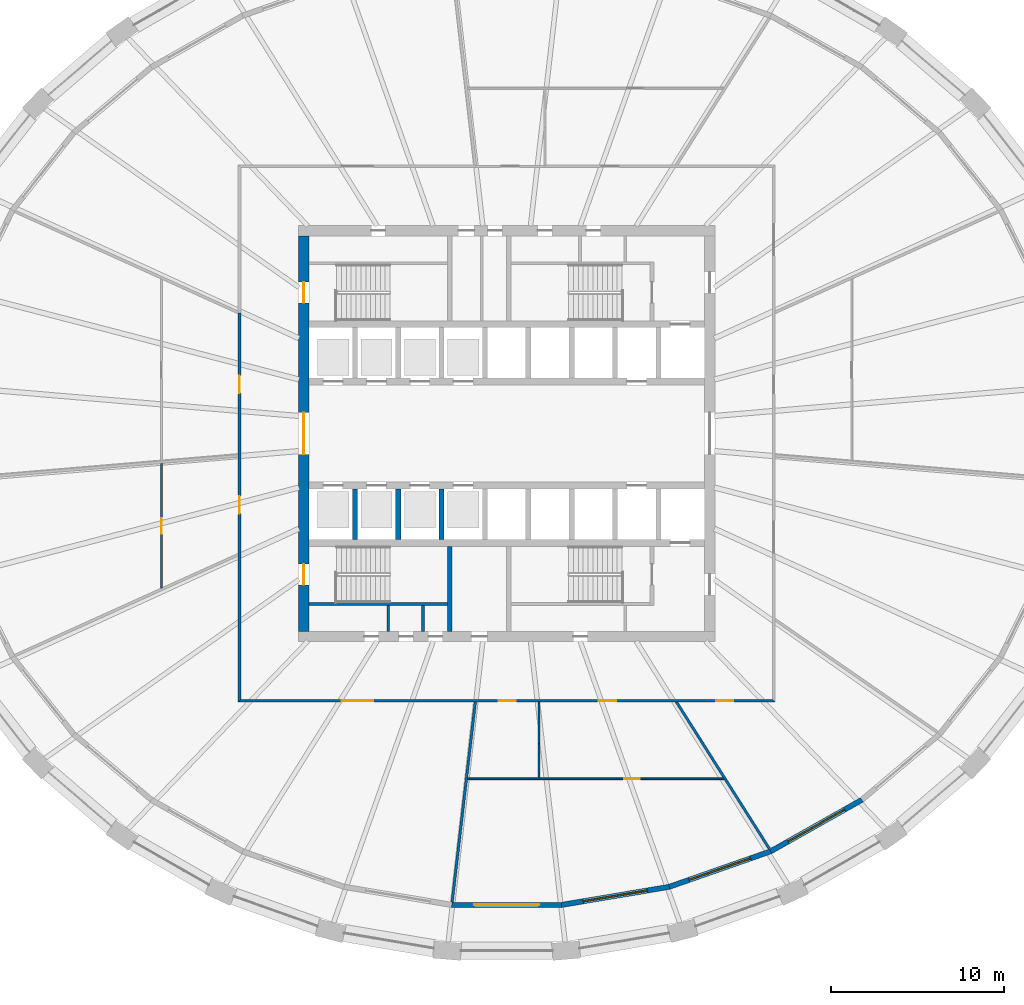
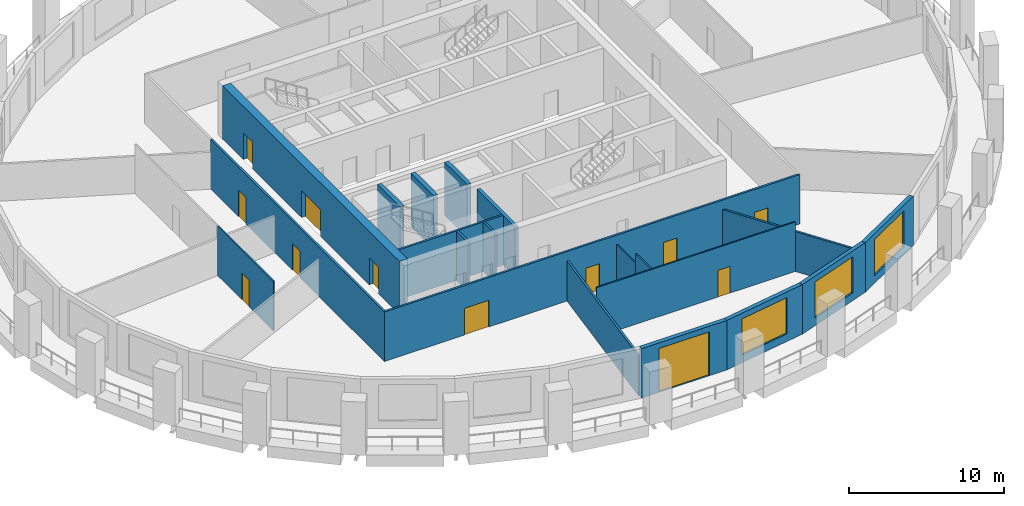
# One storey, part 3 of 10: 20 walls, 12 doors, 3 windows, 15 openings.
"""IFC4 building model written with IfcOpenShell, lengths in metres."""

from ifc_helpers import new_model, si_unit, direction, frame, frame_2d, origin, place, context, subcontext, project, spatial, polyline, rectangle, outline, extrude, material, layer, layer_set, type_object, element, fill, save


model = new_model("IFC4")

# Units and contexts
model_context = context("Model", 3, precision=1e-05, world=origin(), true_north=direction((0.0, 1.0)))
body_context = subcontext(model_context, "Body", "Model", "MODEL_VIEW")
ifc_project = project(units=[si_unit("LENGTHUNIT", "METRE"), si_unit("AREAUNIT", "SQUARE_METRE"), si_unit("VOLUMEUNIT", "CUBIC_METRE"), si_unit("PLANEANGLEUNIT", "RADIAN"), si_unit("MASSUNIT", "GRAM", prefix="KILO")], contexts=[model_context])

# Site, building, storey
site_placement = place(None, origin())
site = spatial("IfcSite", under=ifc_project, at=site_placement, CompositionType="ELEMENT")
building_placement = place(site_placement, origin())
building = spatial("IfcBuilding", under=site, at=building_placement, Name="Halqa Exchange Tower", CompositionType="ELEMENT")
storey_placement = place(building_placement, frame((0.0, 0.0, 121.300048828125)))
storey = spatial("IfcBuildingStorey", under=building, at=storey_placement, Name="L27", CompositionType="ELEMENT", Elevation=121.300048828125)

# Wall, openings, doors
ifc_material_1 = material(Name="Fire-rated gypsum board")
ifc_layer_1 = layer(ifc_material_1, 0.14990234375)
ifc_layer_set_1 = layer_set([ifc_layer_1], Name="Fire-rated gypsum board")
wall_type_1 = type_object("IfcWallType", Name="Fire partition EI 60 150", PredefinedType="PARTITIONING", material=ifc_layer_set_1)
wall_1_placement = place(storey_placement, frame((-15.39990234375, -15.47509765625, 0.0), z_axis=(0.0, 0.0, 1.0), x_axis=(0.0, 1.0, 0.0)))
wall_1 = element("IfcWall", 1, at=wall_1_placement, inside=storey, type_object=wall_type_1, Name="L27-PWL-006", PredefinedType="PARTITIONING", context=body_context, shape_type="SweptSolid", body=[
    extrude(outline(polyline([(22.425048828125, 0.074951171875), (20.556396484375, 0.074951171875), (18.6875, 0.074951171875), (16.81884765625, 0.074951171875), (14.9501953125, 0.074951171875), (13.081298828125, 0.074951171875), (11.212646484375, 0.074951171875), (9.343994140625, 0.074951171875), (7.47509765625, 0.074951171875), (5.6064453125, 0.074951171875), (3.73779296875, 0.074951171875), (1.868896484375, 0.074951171875), (0.000244140625, 0.074951171875), (0.150146484375, -0.074951171875), (2.00634765625, -0.074951171875), (3.862548828125, -0.074951171875), (5.71875, -0.074951171875), (7.5751953125, -0.074951171875), (9.431396484375, -0.074951171875), (11.28759765625, -0.074951171875), (13.143798828125, -0.074951171875), (15.0, -0.074951171875), (16.8564453125, -0.074951171875), (18.712646484375, -0.074951171875), (20.56884765625, -0.074951171875), (22.425048828125, -0.074951171875), (22.425048828125, 0.074951171875)])), origin(), (0.0, 0.0, 1.0), 3.89990234375),
])
opening_1_placement = place(wall_1_placement, frame((17.81005859375, 0.0, 0.0)))
opening_1 = element("IfcOpeningElement", 2, at=opening_1_placement, cuts=wall_1, Name="Opening 08-08", PredefinedType="OPENING", context=body_context, shape_type="SweptSolid", body=[
    extrude(rectangle(XDim=1.0, YDim=2.10009765625, at=frame_2d((0.5, 1.050048828125))), frame((0.0, 0.0869140625, 0.0), z_axis=(0.0, -1.0, 0.0), x_axis=(1.0, 0.0, 0.0)), (0.0, 0.0, 1.0), 0.173828125),
])
opening_2_placement = place(wall_1_placement, frame((10.860107421875, 0.0, 0.0)))
opening_2 = element("IfcOpeningElement", 3, at=opening_2_placement, cuts=wall_1, Name="Opening 08-09", PredefinedType="OPENING", context=body_context, shape_type="SweptSolid", body=[
    extrude(rectangle(XDim=1.0, YDim=2.10009765625, at=frame_2d((0.5, 1.050048828125))), frame((0.0, 0.0869140625, 0.0), z_axis=(0.0, -1.0, 0.0), x_axis=(1.0, 0.0, 0.0)), (0.0, 0.0, 1.0), 0.173828125),
])
ifc_material_2 = material(Name="Steel fire door leaf", Category="steel")
door_type_1 = type_object("IfcDoorType", Name="Fire door FD30S 1000 x 2100", OperationType="SINGLE_SWING_LEFT", PredefinedType="DOOR", material=ifc_material_2)
door_1_placement = place(opening_1_placement, origin())
door_1 = element("IfcDoor", 4, at=door_1_placement, inside=storey, type_object=door_type_1, Name="L27-IDR-008", OperationType="SINGLE_SWING_LEFT", OverallHeight=2.10009765625, OverallWidth=1.0, PredefinedType="DOOR", context=body_context, shape_type="SweptSolid", body=[
    extrude(rectangle(XDim=1.0, YDim=2.10009765625, at=frame_2d((0.5, 1.050048828125))), frame((0.0, 0.02490234375, 0.0), z_axis=(0.0, -1.0, 0.0), x_axis=(1.0, 0.0, 0.0)), (0.0, 0.0, 1.0), 0.050048828125),
])
fill(opening_1, door_1)
door_2_placement = place(opening_2_placement, origin())
door_2 = element("IfcDoor", 5, at=door_2_placement, inside=storey, type_object=door_type_1, Name="L27-IDR-009", OperationType="SINGLE_SWING_LEFT", OverallHeight=2.10009765625, OverallWidth=1.0, PredefinedType="DOOR", context=body_context, shape_type="SweptSolid", body=[
    extrude(rectangle(XDim=1.0, YDim=2.10009765625, at=frame_2d((0.5, 1.050048828125))), frame((0.0, 0.02490234375, 0.0), z_axis=(0.0, -1.0, 0.0), x_axis=(1.0, 0.0, 0.0)), (0.0, 0.0, 1.0), 0.050048828125),
])
fill(opening_2, door_2)

wall_2_placement = place(storey_placement, frame((-15.47509765625, -15.39990234375, 0.0), z_axis=(0.0, 0.0, 1.0), x_axis=(1.0, 0.0, 0.0)))
wall_2 = element("IfcWall", 6, at=wall_2_placement, inside=storey, type_object=wall_type_1, Name="L27-PWL-007", PredefinedType="PARTITIONING", context=body_context, shape_type="SweptSolid", body=[
    extrude(outline(polyline([(0.000244140625, -0.074951171875), (1.9345703125, -0.074951171875), (3.868896484375, -0.074951171875), (5.80322265625, -0.074951171875), (7.73779296875, -0.074951171875), (9.672119140625, -0.074951171875), (11.6064453125, -0.074951171875), (13.540771484375, -0.074951171875), (15.47509765625, -0.074951171875), (17.409423828125, -0.074951171875), (19.34375, -0.074951171875), (21.278076171875, -0.074951171875), (23.21240234375, -0.074951171875), (25.14697265625, -0.074951171875), (27.081298828125, -0.074951171875), (29.015625, -0.074951171875), (30.949951171875, -0.074951171875), (30.800048828125, 0.074951171875), (28.884521484375, 0.074951171875), (26.96875, 0.074951171875), (25.05322265625, 0.074951171875), (23.1376953125, 0.074951171875), (21.221923828125, 0.074951171875), (19.306396484375, 0.074951171875), (17.390625, 0.074951171875), (15.47509765625, 0.074951171875), (13.5595703125, 0.074951171875), (11.643798828125, 0.074951171875), (9.728271484375, 0.074951171875), (7.8125, 0.074951171875), (5.89697265625, 0.074951171875), (3.9814453125, 0.074951171875), (2.065673828125, 0.074951171875), (0.150146484375, 0.074951171875), (0.000244140625, -0.074951171875)])), origin(), (0.0, 0.0, 1.0), 3.89990234375),
])
opening_3_placement = place(wall_2_placement, frame((27.544921875, 0.0, 0.0)))
opening_3 = element("IfcOpeningElement", 7, at=opening_3_placement, cuts=wall_2, Name="Opening 08-01", PredefinedType="OPENING", context=body_context, shape_type="SweptSolid", body=[
    extrude(rectangle(XDim=1.0, YDim=2.10009765625, at=frame_2d((0.5, 1.050048828125))), frame((0.0, 0.0869140625, 0.0), z_axis=(0.0, -1.0, 0.0), x_axis=(1.0, 0.0, 0.0)), (0.0, 0.0, 1.0), 0.173828125),
])
opening_4_placement = place(wall_2_placement, frame((5.97509765625, 0.0, 0.0)))
opening_4 = element("IfcOpeningElement", 8, at=opening_4_placement, cuts=wall_2, Name="Opening 08-10", PredefinedType="OPENING", context=body_context, shape_type="SweptSolid", body=[
    extrude(rectangle(XDim=1.800048828125, YDim=2.10009765625, at=frame_2d((0.89990234375, 1.050048828125))), frame((0.0, 0.0869140625, 0.0), z_axis=(0.0, -1.0, 0.0), x_axis=(1.0, 0.0, 0.0)), (0.0, 0.0, 1.0), 0.173828125),
])
opening_5_placement = place(wall_2_placement, frame((20.780029296875, 0.0, 0.0)))
opening_5 = element("IfcOpeningElement", 9, at=opening_5_placement, cuts=wall_2, Name="Opening 08-11", PredefinedType="OPENING", context=body_context, shape_type="SweptSolid", body=[
    extrude(rectangle(XDim=1.0, YDim=2.10009765625, at=frame_2d((0.5, 1.050048828125))), frame((0.0, 0.0869140625, 0.0), z_axis=(0.0, -1.0, 0.0), x_axis=(1.0, 0.0, 0.0)), (0.0, 0.0, 1.0), 0.173828125),
])
opening_6_placement = place(wall_2_placement, frame((15.010009765625, 0.0, 0.0)))
opening_6 = element("IfcOpeningElement", 10, at=opening_6_placement, cuts=wall_2, Name="Opening 08-12", PredefinedType="OPENING", context=body_context, shape_type="SweptSolid", body=[
    extrude(rectangle(XDim=1.0, YDim=2.10009765625, at=frame_2d((0.5, 1.050048828125))), frame((0.0, 0.0869140625, 0.0), z_axis=(0.0, -1.0, 0.0), x_axis=(1.0, 0.0, 0.0)), (0.0, 0.0, 1.0), 0.173828125),
])
door_3_placement = place(opening_3_placement, frame((1.0, 0.0, 0.0), z_axis=(0.0, 0.0, 1.0), x_axis=(-1.0, 0.0, 0.0)))
door_3 = element("IfcDoor", 11, at=door_3_placement, inside=storey, type_object=door_type_1, Name="L27-IDR-001", OperationType="SINGLE_SWING_LEFT", OverallHeight=2.10009765625, OverallWidth=1.0, PredefinedType="DOOR", context=body_context, shape_type="SweptSolid", body=[
    extrude(rectangle(XDim=1.0, YDim=2.10009765625, at=frame_2d((0.5, 1.050048828125))), frame((0.0, 0.02490234375, 0.0), z_axis=(0.0, -1.0, 0.0), x_axis=(1.0, 0.0, 0.0)), (0.0, 0.0, 1.0), 0.050048828125),
])
fill(opening_3, door_3)
door_4_placement = place(opening_5_placement, frame((1.0, 0.0, 0.0), z_axis=(0.0, 0.0, 1.0), x_axis=(-1.0, 0.0, 0.0)))
door_4 = element("IfcDoor", 12, at=door_4_placement, inside=storey, type_object=door_type_1, Name="L27-IDR-011", OperationType="SINGLE_SWING_LEFT", OverallHeight=2.10009765625, OverallWidth=1.0, PredefinedType="DOOR", context=body_context, shape_type="SweptSolid", body=[
    extrude(rectangle(XDim=1.0, YDim=2.10009765625, at=frame_2d((0.5, 1.050048828125))), frame((0.0, 0.02490234375, 0.0), z_axis=(0.0, -1.0, 0.0), x_axis=(1.0, 0.0, 0.0)), (0.0, 0.0, 1.0), 0.050048828125),
])
fill(opening_5, door_4)
door_5_placement = place(opening_6_placement, frame((1.0, 0.0, 0.0), z_axis=(0.0, 0.0, 1.0), x_axis=(-1.0, 0.0, 0.0)))
door_5 = element("IfcDoor", 13, at=door_5_placement, inside=storey, type_object=door_type_1, Name="L27-IDR-012", OperationType="SINGLE_SWING_LEFT", OverallHeight=2.10009765625, OverallWidth=1.0, PredefinedType="DOOR", context=body_context, shape_type="SweptSolid", body=[
    extrude(rectangle(XDim=1.0, YDim=2.10009765625, at=frame_2d((0.5, 1.050048828125))), frame((0.0, 0.02490234375, 0.0), z_axis=(0.0, -1.0, 0.0), x_axis=(1.0, 0.0, 0.0)), (0.0, 0.0, 1.0), 0.050048828125),
])
fill(opening_6, door_5)
door_type_2 = type_object("IfcDoorType", Name="Fire door FD30S double 1800 x 2100", OperationType="DOUBLE_DOOR_SINGLE_SWING", PredefinedType="DOOR", material=ifc_material_2)
door_6_placement = place(opening_4_placement, frame((1.800048828125, 0.0, 0.0), z_axis=(0.0, 0.0, 1.0), x_axis=(-1.0, 0.0, 0.0)))
door_6 = element("IfcDoor", 14, at=door_6_placement, inside=storey, type_object=door_type_2, Name="L27-IDR-010", OperationType="DOUBLE_DOOR_SINGLE_SWING", OverallHeight=2.10009765625, OverallWidth=1.800048828125, PredefinedType="DOOR", context=body_context, shape_type="SweptSolid", body=[
    extrude(rectangle(XDim=1.800048828125, YDim=2.10009765625, at=frame_2d((0.89990234375, 1.050048828125))), frame((0.0, 0.02490234375, 0.0), z_axis=(0.0, -1.0, 0.0), x_axis=(1.0, 0.0, 0.0)), (0.0, 0.0, 1.0), 0.050048828125),
])
fill(opening_4, door_6)

# Walls
wall_3_placement = place(storey_placement, frame((-3.145263671875, -27.02099609375, 0.0), z_axis=(0.0, 0.0, 1.0), x_axis=(0.115127596958, 0.993350711692, 0.0)))
element("IfcWall", 15, at=wall_3_placement, inside=storey, type_object=wall_type_1, Name="L27-PWL-011", PredefinedType="PARTITIONING", context=body_context, shape_type="SweptSolid", body=[
    extrude(outline(polyline([(0.005615234375, -0.074951171875), (1.808349609375, -0.074951171875), (3.611083984375, -0.074951171875), (5.413818359375, -0.074951171875), (7.216552734375, -0.074951171875), (7.2275390625, -0.07373046875), (7.227783203125, -0.074951171875), (8.695556640625, -0.074951171875), (10.16357421875, -0.074951171875), (11.631591796875, -0.074951171875), (11.631591796875, -0.07177734375), (11.614501953125, 0.074951171875), (9.6787109375, 0.074951171875), (7.7431640625, 0.074951171875), (5.807373046875, 0.074951171875), (3.87158203125, 0.074951171875), (1.935791015625, 0.074951171875), (0.0, 0.074951171875), (0.0, -0.02685546875), (0.005615234375, -0.074951171875)])), origin(), (0.0, 0.0, 1.0), 3.14697265625),
])
wall_4_placement = place(storey_placement, frame((9.76220703125, -15.43505859375, 0.0), z_axis=(0.0, 0.0, 1.0), x_axis=(0.534830284385, -0.844959506074, 0.0)))
element("IfcWall", 16, at=wall_4_placement, inside=storey, type_object=wall_type_1, Name="L27-PWL-018", PredefinedType="PARTITIONING", context=body_context, shape_type="SweptSolid", body=[
    extrude(outline(polyline([(0.0, -0.074951171875), (1.725830078125, -0.074951171875), (3.45166015625, -0.074951171875), (5.177490234375, -0.074951171875), (5.211181640625, -0.021728515625), (5.29541015625, -0.074951171875), (6.882568359375, -0.074951171875), (8.4697265625, -0.074951171875), (10.056884765625, -0.074951171875), (10.056884765625, 0.074951171875), (8.064453125, 0.074951171875), (6.072021484375, 0.074951171875), (4.07958984375, 0.074951171875), (2.087158203125, 0.074951171875), (0.0947265625, 0.074951171875), (0.0, -0.07470703125), (0.0, -0.074951171875)])), origin(), (0.0, 0.0, 1.0), 3.14697265625),
])

# Wall, opening, door
ifc_material_3 = material(Name="Gypsum board")
ifc_layer_2 = layer(ifc_material_3, 0.10009765625)
ifc_layer_set_2 = layer_set([ifc_layer_2], Name="Gypsum board")
wall_type_2 = type_object("IfcWallType", Name="Partition 100 gypsum", PredefinedType="PARTITIONING", material=ifc_layer_set_2)
wall_5_placement = place(storey_placement, frame((-19.89990234375, -8.924072265625, 0.0), z_axis=(0.0, 0.0, 1.0), x_axis=(0.0, 1.0, 0.0)))
wall_5 = element("IfcWall", 17, at=wall_5_placement, inside=storey, type_object=wall_type_2, Name="L27-PWL-004", PredefinedType="PARTITIONING", context=body_context, shape_type="SweptSolid", body=[
    extrude(outline(polyline([(7.197021484375, -0.050048828125), (7.197021484375, -0.04638671875), (7.18896484375, 0.050048828125), (5.3916015625, 0.050048828125), (3.594482421875, 0.050048828125), (1.797119140625, 0.050048828125), (0.0, 0.050048828125), (0.0, 0.049560546875), (0.044921875, -0.050048828125), (1.8330078125, -0.050048828125), (3.62109375, -0.050048828125), (5.408935546875, -0.050048828125), (7.197021484375, -0.050048828125)])), origin(), (0.0, 0.0, 1.0), 3.89990234375),
])
opening_7_placement = place(wall_5_placement, frame((3.154052734375, 0.0, 0.0)))
opening_7 = element("IfcOpeningElement", 18, at=opening_7_placement, cuts=wall_5, Name="Opening 08-16", PredefinedType="OPENING", context=body_context, shape_type="SweptSolid", body=[
    extrude(rectangle(XDim=0.89990234375, YDim=2.10009765625, at=frame_2d((0.449951171875, 1.050048828125))), frame((0.0, 0.06201171875, 0.0), z_axis=(0.0, -1.0, 0.0), x_axis=(1.0, 0.0, 0.0)), (0.0, 0.0, 1.0), 0.1240234375),
])
ifc_material_4 = material(Name="Timber door leaf", Category="wood")
door_type_3 = type_object("IfcDoorType", Name="Door 900 x 2100", OperationType="SINGLE_SWING_LEFT", PredefinedType="DOOR", material=ifc_material_4)
door_7_placement = place(opening_7_placement, frame((0.89990234375, 0.0, 0.0), z_axis=(0.0, 0.0, 1.0), x_axis=(-1.0, 0.0, 0.0)))
door_7 = element("IfcDoor", 19, at=door_7_placement, inside=storey, type_object=door_type_3, Name="L27-IDR-016", OperationType="SINGLE_SWING_RIGHT", OverallHeight=2.10009765625, OverallWidth=0.89990234375, PredefinedType="DOOR", context=body_context, shape_type="SweptSolid", body=[
    extrude(rectangle(XDim=0.89990234375, YDim=2.10009765625, at=frame_2d((0.449951171875, 1.050048828125))), frame((0.0, 0.02490234375, 0.0), z_axis=(0.0, -1.0, 0.0), x_axis=(1.0, 0.0, 0.0)), (0.0, 0.0, 1.0), 0.050048828125),
])
fill(opening_7, door_7)

wall_6_placement = place(storey_placement, frame((-2.25, -19.89990234375, 0.0), z_axis=(0.0, 0.0, 1.0), x_axis=(1.0, 0.0, 0.0)))
wall_6 = element("IfcWall", 20, at=wall_6_placement, inside=storey, type_object=wall_type_2, Name="L27-PWL-012", PredefinedType="PARTITIONING", context=body_context, shape_type="SweptSolid", body=[
    extrude(outline(polyline([(14.781005859375, -0.050048828125), (14.781005859375, -0.0498046875), (14.77001953125, -0.0322265625), (14.77001953125, -0.032470703125), (14.7177734375, 0.050048828125), (12.9599609375, 0.050048828125), (11.201904296875, 0.050048828125), (9.44384765625, 0.050048828125), (7.68603515625, 0.050048828125), (5.927978515625, 0.050048828125), (4.169921875, 0.050048828125), (4.169921875, 0.0498046875), (4.070068359375, 0.0498046875), (4.070068359375, 0.050048828125), (2.717041015625, 0.050048828125), (1.3642578125, 0.050048828125), (0.01123046875, 0.050048828125), (0.0, -0.0478515625), (0.0, -0.050048828125), (1.84765625, -0.050048828125), (3.6953125, -0.050048828125), (5.54296875, -0.050048828125), (7.390625, -0.050048828125), (9.238037109375, -0.050048828125), (11.085693359375, -0.050048828125), (12.933349609375, -0.050048828125), (14.781005859375, -0.050048828125)])), origin(), (0.0, 0.0, 1.0), 3.89990234375),
])
opening_8_placement = place(wall_6_placement, frame((9.030029296875, 0.0, 0.0)))
opening_8 = element("IfcOpeningElement", 21, at=opening_8_placement, cuts=wall_6, Name="Opening 08-17", PredefinedType="OPENING", context=body_context, shape_type="SweptSolid", body=[
    extrude(rectangle(XDim=0.89990234375, YDim=2.10009765625, at=frame_2d((0.449951171875, 1.050048828125))), frame((0.0, 0.06201171875, 0.0), z_axis=(0.0, -1.0, 0.0), x_axis=(1.0, 0.0, 0.0)), (0.0, 0.0, 1.0), 0.1240234375),
])
door_8_placement = place(opening_8_placement, origin())
door_8 = element("IfcDoor", 22, at=door_8_placement, inside=storey, type_object=door_type_3, Name="L27-IDR-017", OperationType="SINGLE_SWING_LEFT", OverallHeight=2.10009765625, OverallWidth=0.89990234375, PredefinedType="DOOR", context=body_context, shape_type="SweptSolid", body=[
    extrude(rectangle(XDim=0.89990234375, YDim=2.10009765625, at=frame_2d((0.449951171875, 1.050048828125))), frame((0.0, 0.02490234375, 0.0), z_axis=(0.0, -1.0, 0.0), x_axis=(1.0, 0.0, 0.0)), (0.0, 0.0, 1.0), 0.050048828125),
])
fill(opening_8, door_8)

# Walls
wall_7_placement = place(storey_placement, frame((1.8701171875, -19.85009765625, 0.0), z_axis=(0.0, 0.0, 1.0), x_axis=(0.0, 1.0, 0.0)))
element("IfcWall", 23, at=wall_7_placement, inside=storey, type_object=wall_type_2, Name="L27-PWL-015", PredefinedType="PARTITIONING", context=body_context, shape_type="SweptSolid", body=[
    extrude(rectangle(XDim=1.959716796875, YDim=0.10009765625, at=frame_2d((0.97998046875, 0.0))), origin(), (0.0, 0.0, 1.0), 3.89990234375),
])
wall_8_placement = place(storey_placement, frame((1.8701171875, -17.890380859375, 0.0), z_axis=(0.0, 0.0, 1.0), x_axis=(0.0, 1.0, 0.0)))
element("IfcWall", 24, at=wall_8_placement, inside=storey, type_object=wall_type_2, Name="L27-PWL-025", PredefinedType="PARTITIONING", context=body_context, shape_type="SweptSolid", body=[
    extrude(rectangle(XDim=2.415283203125, YDim=0.10009765625, at=frame_2d((1.20751953125, 0.0))), origin(), (0.0, 0.0, 1.0), 3.14697265625),
])
ifc_layer_3 = layer(ifc_material_3, 0.14990234375)
ifc_layer_set_3 = layer_set([ifc_layer_3], Name="Gypsum board")
wall_type_3 = type_object("IfcWallType", Name="Penthouse riser wall 150 gypsum", PredefinedType="PARTITIONING", material=ifc_layer_set_3)
for number, where, z_axis, x_axis, name in (
    (25, (-6.824951171875, -11.39990234375, 0.0), (0.0, 0.0, 1.0), (0.0, 1.0, 0.0), "Partition W6.825 S"),
    (26, (-4.824951171875, -11.39990234375, 0.0), (0.0, 0.0, 1.0), (0.0, 1.0, 0.0), "Partition W4.825 S"),
):
    element("IfcWall", number, at=place(storey_placement, frame(where, z_axis=z_axis, x_axis=x_axis)), inside=storey, type_object=wall_type_3, Name=name, PredefinedType="PARTITIONING", context=body_context, shape_type="SweptSolid", body=[
        extrude(rectangle(XDim=1.5, YDim=0.14990234375, at=frame_2d((0.75, 0.0))), origin(), (0.0, 0.0, 1.0), 3.89990234375),
    ])
ifc_material_5 = material(Name="Concrete C60/75", Category="concrete")
ifc_layer_4 = layer(ifc_material_5, 0.300048828125)
ifc_layer_set_4 = layer_set([ifc_layer_4], Name="Concrete C60/75")
wall_type_4 = type_object("IfcWallType", Name="RC core wall 300", PredefinedType="SHEAR", material=ifc_layer_set_4)
for number, where, z_axis, x_axis, name in (
    (27, (-8.75, -6.10009765625, 0.0), (0.0, 0.0, 1.0), (0.0, 1.0, 0.0), "Shaft divider S1"),
    (28, (-6.25, -6.10009765625, 0.0), (0.0, 0.0, 1.0), (0.0, 1.0, 0.0), "Shaft divider S2"),
    (29, (-3.75, -6.10009765625, 0.0), (0.0, 0.0, 1.0), (0.0, 1.0, 0.0), "Shaft divider S3"),
):
    element("IfcWall", number, at=place(storey_placement, frame(where, z_axis=z_axis, x_axis=x_axis)), inside=storey, type_object=wall_type_4, Name=name, PredefinedType="SHEAR", context=body_context, shape_type="SweptSolid", body=[
        extrude(rectangle(XDim=2.900146484375, YDim=0.300048828125, at=frame_2d((1.4501953125, 0.0))), origin(), (0.0, 0.0, 1.0), 4.199951171875),
    ])

# Wall, openings, doors
ifc_material_6 = material(Name="Concrete C70/85", Category="concrete")
ifc_layer_5 = layer(ifc_material_6, 0.60009765625)
ifc_layer_set_5 = layer_set([ifc_layer_5], Name="Concrete C70/85")
wall_type_5 = type_object("IfcWallType", Name="RC core wall 600 C70/85", PredefinedType="SHEAR", material=ifc_layer_set_5)
wall_9_placement = place(storey_placement, frame((-11.699951171875, -11.39990234375, 0.0), z_axis=(0.0, 0.0, 1.0), x_axis=(0.0, 1.0, 0.0)))
wall_9 = element("IfcWall", 30, at=wall_9_placement, inside=storey, type_object=wall_type_5, Name="Core wall west", PredefinedType="SHEAR", context=body_context, shape_type="SweptSolid", body=[
    extrude(rectangle(XDim=22.7998046875, YDim=0.60009765625, at=frame_2d((11.39990234375, 0.0))), origin(), (0.0, 0.0, 1.0), 4.199951171875),
])
opening_9_placement = place(wall_9_placement, frame((10.199951171875, 0.0, 0.0)))
opening_9 = element("IfcOpeningElement", 31, at=opening_9_placement, cuts=wall_9, Name="Opening T08-C13", PredefinedType="OPENING", context=body_context, shape_type="SweptSolid", body=[
    extrude(rectangle(XDim=2.39990234375, YDim=2.10009765625, at=frame_2d((1.199951171875, 1.050048828125))), frame((0.0, 0.31201171875, 0.0), z_axis=(0.0, -1.0, 0.0), x_axis=(1.0, 0.0, 0.0)), (0.0, 0.0, 1.0), 0.6240234375),
])
opening_10_placement = place(wall_9_placement, frame((18.925048828125, 0.0, 0.0)))
opening_10 = element("IfcOpeningElement", 32, at=opening_10_placement, cuts=wall_9, Name="Opening T08-C15", PredefinedType="OPENING", context=body_context, shape_type="SweptSolid", body=[
    extrude(rectangle(XDim=1.199951171875, YDim=2.10009765625, at=frame_2d((0.60009765625, 1.050048828125))), frame((0.0, 0.31201171875, 0.0), z_axis=(0.0, -1.0, 0.0), x_axis=(1.0, 0.0, 0.0)), (0.0, 0.0, 1.0), 0.6240234375),
])
opening_11_placement = place(wall_9_placement, frame((2.675048828125, 0.0, 0.0)))
opening_11 = element("IfcOpeningElement", 33, at=opening_11_placement, cuts=wall_9, Name="Opening T08-C17", PredefinedType="OPENING", context=body_context, shape_type="SweptSolid", body=[
    extrude(rectangle(XDim=1.199951171875, YDim=2.10009765625, at=frame_2d((0.60009765625, 1.050048828125))), frame((0.0, 0.31201171875, 0.0), z_axis=(0.0, -1.0, 0.0), x_axis=(1.0, 0.0, 0.0)), (0.0, 0.0, 1.0), 0.6240234375),
])
door_type_4 = type_object("IfcDoorType", Name="Lobby double door FD60 2400 x 2100", OperationType="DOUBLE_DOOR_SINGLE_SWING", PredefinedType="DOOR", material=ifc_material_2)
door_9_placement = place(opening_9_placement, frame((2.39990234375, 0.0, 0.0), z_axis=(0.0, 0.0, 1.0), x_axis=(-1.0, 0.0, 0.0)))
door_9 = element("IfcDoor", 34, at=door_9_placement, inside=storey, type_object=door_type_4, Name="Lift lobby double door", OperationType="DOUBLE_DOOR_SINGLE_SWING", OverallHeight=2.10009765625, OverallWidth=2.39990234375, PredefinedType="DOOR", context=body_context, shape_type="SweptSolid", body=[
    extrude(rectangle(XDim=2.39990234375, YDim=2.10009765625, at=frame_2d((1.199951171875, 1.050048828125))), frame((0.0, 0.02490234375, 0.0), z_axis=(0.0, -1.0, 0.0), x_axis=(1.0, 0.0, 0.0)), (0.0, 0.0, 1.0), 0.050048828125),
])
fill(opening_9, door_9)
door_type_5 = type_object("IfcDoorType", Name="Stair door FD90 1200 x 2100", OperationType="SINGLE_SWING_LEFT", PredefinedType="DOOR", material=ifc_material_2)
door_10_placement = place(opening_10_placement, frame((1.199951171875, 0.0, 0.0), z_axis=(0.0, 0.0, 1.0), x_axis=(-1.0, 0.0, 0.0)))
door_10 = element("IfcDoor", 35, at=door_10_placement, inside=storey, type_object=door_type_5, Name="Stair door ST1", OperationType="SINGLE_SWING_RIGHT", OverallHeight=2.10009765625, OverallWidth=1.199951171875, PredefinedType="DOOR", context=body_context, shape_type="SweptSolid", body=[
    extrude(rectangle(XDim=1.199951171875, YDim=2.10009765625, at=frame_2d((0.60009765625, 1.050048828125))), frame((0.0, 0.02490234375, 0.0), z_axis=(0.0, -1.0, 0.0), x_axis=(1.0, 0.0, 0.0)), (0.0, 0.0, 1.0), 0.050048828125),
])
fill(opening_10, door_10)
door_11_placement = place(opening_11_placement, frame((1.199951171875, 0.0, 0.0), z_axis=(0.0, 0.0, 1.0), x_axis=(-1.0, 0.0, 0.0)))
door_11 = element("IfcDoor", 36, at=door_11_placement, inside=storey, type_object=door_type_5, Name="Stair door ST3", OperationType="SINGLE_SWING_RIGHT", OverallHeight=2.10009765625, OverallWidth=1.199951171875, PredefinedType="DOOR", context=body_context, shape_type="SweptSolid", body=[
    extrude(rectangle(XDim=1.199951171875, YDim=2.10009765625, at=frame_2d((0.60009765625, 1.050048828125))), frame((0.0, 0.02490234375, 0.0), z_axis=(0.0, -1.0, 0.0), x_axis=(1.0, 0.0, 0.0)), (0.0, 0.0, 1.0), 0.050048828125),
])
fill(opening_11, door_11)

# Walls
ifc_material_7 = material(Name="Concrete C30/37", Category="concrete")
ifc_layer_6 = layer(ifc_material_7, 0.14990234375)
ifc_layer_set_6 = layer_set([ifc_layer_6], Name="Concrete C30/37")
wall_type_6 = type_object("IfcWallType", Name="RC stair wall 150 C30/37", PredefinedType="SHEAR", material=ifc_layer_set_6)
wall_10_placement = place(storey_placement, frame((-11.39990234375, -9.824951171875, 0.0), z_axis=(0.0, 0.0, 1.0), x_axis=(1.0, 0.0, 0.0)))
element("IfcWall", 37, at=wall_10_placement, inside=storey, type_object=wall_type_6, Name="Stair ST1 north wall S", PredefinedType="SHEAR", context=body_context, shape_type="SweptSolid", body=[
    extrude(rectangle(XDim=8.0, YDim=0.14990234375, at=frame_2d((4.0, 0.0))), origin(), (0.0, 0.0, 1.0), 3.89990234375),
])
ifc_layer_7 = layer(ifc_material_7, 0.25)
ifc_layer_set_7 = layer_set([ifc_layer_7], Name="Concrete C30/37")
wall_type_7 = type_object("IfcWallType", Name="RC stair wall 250 C30/37", PredefinedType="SHEAR", material=ifc_layer_set_7)
wall_11_placement = place(storey_placement, frame((-3.27490234375, -11.39990234375, 0.0), z_axis=(0.0, 0.0, 1.0), x_axis=(0.0, 1.0, 0.0)))
element("IfcWall", 38, at=wall_11_placement, inside=storey, type_object=wall_type_7, Name="Stair ST1 east wall S", PredefinedType="SHEAR", context=body_context, shape_type="SweptSolid", body=[
    extrude(rectangle(XDim=4.89990234375, YDim=0.25, at=frame_2d((2.449951171875, 0.0))), origin(), (0.0, 0.0, 1.0), 3.89990234375),
])

# Wall, opening, door
ifc_material_8 = material(Name="Limestone cladding", Category="masonry")
ifc_layer_8 = layer(ifc_material_8, 0.0400390625)
ifc_material_9 = material(Name="Ventilated cavity")
ifc_layer_9 = layer(ifc_material_9, 0.030029296875, ventilated=True)
ifc_material_10 = material(Name="Mineral wool insulation")
ifc_layer_10 = layer(ifc_material_10, 0.10009765625)
ifc_layer_11 = layer(ifc_material_7, 0.10009765625)
ifc_material_11 = material(Name="Internal plaster")
ifc_layer_12 = layer(ifc_material_11, 0.030029296875)
ifc_layer_set_8 = layer_set([ifc_layer_8, ifc_layer_9, ifc_layer_10, ifc_layer_11, ifc_layer_12], Name="Stone-faced insulated wall 300")
wall_type_8 = type_object("IfcWallType", Name="Stone-faced insulated wall 300", PredefinedType="STANDARD", material=ifc_layer_set_8)
wall_12_placement = place(storey_placement, frame((-3.16357421875, -27.174072265625, 0.0), z_axis=(0.0, 0.0, 1.0), x_axis=(1.0, 0.0, 0.0)))
wall_12 = element("IfcWall", 39, at=wall_12_placement, inside=storey, type_object=wall_type_8, Name="Glass-line wall 24", PredefinedType="STANDARD", context=body_context, shape_type="SweptSolid", body=[
    extrude(outline(polyline([(-0.012451171875, -0.14990234375), (6.339599609375, -0.14990234375), (6.314697265625, 0.14990234375), (0.012451171875, 0.14990234375), (-0.012451171875, -0.14990234375)])), origin(), (0.0, 0.0, 1.0), 3.89990234375),
])
opening_12_placement = place(wall_12_placement, frame((1.28857421875, 0.0, 0.0)))
opening_12 = element("IfcOpeningElement", 40, at=opening_12_placement, cuts=wall_12, Name="Opening LG-F2-06", PredefinedType="OPENING", context=body_context, shape_type="SweptSolid", body=[
    extrude(rectangle(XDim=3.75, YDim=3.449951171875, at=frame_2d((1.875, 1.72509765625))), frame((0.0, 0.162109375, 0.0), z_axis=(0.0, -1.0, 0.0), x_axis=(1.0, 0.0, 0.0)), (0.0, 0.0, 1.0), 0.323974609375),
])
ifc_material_12 = material(Name="Clear low-emissivity glass in aluminium frame", Category="aluminium")
door_type_6 = type_object("IfcDoorType", Name="Glazed sliding loggia door 3750 x 3450", OperationType="DOUBLE_DOOR_SLIDING", PredefinedType="DOOR", material=ifc_material_12)
door_12_placement = place(opening_12_placement, origin())
door_12 = element("IfcDoor", 41, at=door_12_placement, inside=storey, type_object=door_type_6, Name="Loggia door 6", OperationType="DOUBLE_DOOR_SLIDING", OverallHeight=3.449951171875, OverallWidth=3.75, PredefinedType="DOOR", context=body_context, shape_type="SweptSolid", body=[
    extrude(rectangle(XDim=3.75, YDim=3.449951171875, at=frame_2d((1.875, 1.72509765625))), frame((0.0, 0.02490234375, 0.0), z_axis=(0.0, -1.0, 0.0), x_axis=(1.0, 0.0, 0.0)), (0.0, 0.0, 1.0), 0.050048828125),
])
fill(opening_12, door_12)

# Wall, opening, window
wall_13_placement = place(storey_placement, frame((3.16357421875, -27.174072265625, 0.0), z_axis=(0.0, 0.0, 1.0), x_axis=(0.986176011722, 0.165701158427, 0.0)))
wall_13 = element("IfcWall", 42, at=wall_13_placement, inside=storey, type_object=wall_type_8, Name="Glass-line wall 25", PredefinedType="STANDARD", context=body_context, shape_type="SweptSolid", body=[
    extrude(outline(polyline([(-0.012451171875, -0.14990234375), (6.305419921875, -0.14990234375), (6.280029296875, 0.14990234375), (0.012451171875, 0.14990234375), (-0.012451171875, -0.14990234375)])), origin(), (0.0, 0.0, 1.0), 3.89990234375),
])
opening_13_placement = place(wall_13_placement, frame((1.271484375, 0.0, 0.60009765625)))
opening_13 = element("IfcOpeningElement", 43, at=opening_13_placement, cuts=wall_13, Name="Opening W-F2-25", PredefinedType="OPENING", context=body_context, shape_type="SweptSolid", body=[
    extrude(rectangle(XDim=3.75, YDim=2.85009765625, at=frame_2d((1.875, 1.425048828125))), frame((0.0, 0.162109375, 0.0), z_axis=(0.0, -1.0, 0.0), x_axis=(1.0, 0.0, 0.0)), (0.0, 0.0, 1.0), 0.323974609375),
])
window_type = type_object("IfcWindowType", Name="Fixed clear glazed window 3750 x 2850", PartitioningType="TRIPLE_PANEL_VERTICAL", PredefinedType="WINDOW", material=ifc_material_12)
window_1_placement = place(opening_13_placement, origin())
window_1 = element("IfcWindow", 44, at=window_1_placement, inside=storey, type_object=window_type, Name="Window 2", OverallHeight=2.85009765625, OverallWidth=3.75, PartitioningType="TRIPLE_PANEL_VERTICAL", PredefinedType="WINDOW", context=body_context, shape_type="SweptSolid", body=[
    extrude(rectangle(XDim=3.75, YDim=2.85009765625, at=frame_2d((1.875, 1.425048828125))), frame((0.0, 0.030029296875, 0.0), z_axis=(0.0, -1.0, 0.0), x_axis=(1.0, 0.0, 0.0)), (0.0, 0.0, 1.0), 0.06005859375),
])
fill(opening_13, window_1)

wall_14_placement = place(storey_placement, frame((9.369384765625, -26.13134765625, 0.0), z_axis=(0.0, 0.0, 1.0), x_axis=(0.94389706045, 0.330239820849, 0.0)))
wall_14 = element("IfcWall", 45, at=wall_14_placement, inside=storey, type_object=wall_type_8, Name="Glass-line wall 26", PredefinedType="STANDARD", context=body_context, shape_type="SweptSolid", body=[
    extrude(outline(polyline([(-0.0126953125, -0.14990234375), (6.207763671875, -0.14990234375), (6.180908203125, 0.14990234375), (0.0126953125, 0.14990234375), (-0.0126953125, -0.14990234375)])), origin(), (0.0, 0.0, 1.0), 3.89990234375),
])
opening_14_placement = place(wall_14_placement, frame((1.22216796875, 0.0, 0.60009765625)))
opening_14 = element("IfcOpeningElement", 46, at=opening_14_placement, cuts=wall_14, Name="Opening W-F2-26", PredefinedType="OPENING", context=body_context, shape_type="SweptSolid", body=[
    extrude(rectangle(XDim=3.75, YDim=2.85009765625, at=frame_2d((1.875, 1.425048828125))), frame((0.0, 0.162109375, 0.0), z_axis=(0.0, -1.0, 0.0), x_axis=(1.0, 0.0, 0.0)), (0.0, 0.0, 1.0), 0.323974609375),
])
window_2_placement = place(opening_14_placement, origin())
window_2 = element("IfcWindow", 47, at=window_2_placement, inside=storey, type_object=window_type, Name="Window 2", OverallHeight=2.85009765625, OverallWidth=3.75, PartitioningType="TRIPLE_PANEL_VERTICAL", PredefinedType="WINDOW", context=body_context, shape_type="SweptSolid", body=[
    extrude(rectangle(XDim=3.75, YDim=2.85009765625, at=frame_2d((1.875, 1.425048828125))), frame((0.0, 0.030029296875, 0.0), z_axis=(0.0, -1.0, 0.0), x_axis=(1.0, 0.0, 0.0)), (0.0, 0.0, 1.0), 0.06005859375),
])
fill(opening_14, window_2)

wall_15_placement = place(storey_placement, frame((15.21630859375, -24.085693359375, 0.0), z_axis=(0.0, 0.0, 1.0), x_axis=(0.870858332497, 0.491534093142, 0.0)))
wall_15 = element("IfcWall", 48, at=wall_15_placement, inside=storey, type_object=wall_type_8, Name="Glass-line wall 27", PredefinedType="STANDARD", context=body_context, shape_type="SweptSolid", body=[
    extrude(outline(polyline([(-0.013427734375, -0.14990234375), (6.058349609375, -0.14990234375), (6.030029296875, 0.14990234375), (0.013427734375, 0.14990234375), (-0.013427734375, -0.14990234375)])), origin(), (0.0, 0.0, 1.0), 3.89990234375),
])
opening_15_placement = place(wall_15_placement, frame((1.147216796875, 0.0, 0.60009765625)))
opening_15 = element("IfcOpeningElement", 49, at=opening_15_placement, cuts=wall_15, Name="Opening W-F2-27", PredefinedType="OPENING", context=body_context, shape_type="SweptSolid", body=[
    extrude(rectangle(XDim=3.75, YDim=2.85009765625, at=frame_2d((1.875, 1.425048828125))), frame((0.0, 0.162109375, 0.0), z_axis=(0.0, -1.0, 0.0), x_axis=(1.0, 0.0, 0.0)), (0.0, 0.0, 1.0), 0.323974609375),
])
window_3_placement = place(opening_15_placement, origin())
window_3 = element("IfcWindow", 50, at=window_3_placement, inside=storey, type_object=window_type, Name="Window 2", OverallHeight=2.85009765625, OverallWidth=3.75, PartitioningType="TRIPLE_PANEL_VERTICAL", PredefinedType="WINDOW", context=body_context, shape_type="SweptSolid", body=[
    extrude(rectangle(XDim=3.75, YDim=2.85009765625, at=frame_2d((1.875, 1.425048828125))), frame((0.0, 0.030029296875, 0.0), z_axis=(0.0, -1.0, 0.0), x_axis=(1.0, 0.0, 0.0)), (0.0, 0.0, 1.0), 0.06005859375),
])
fill(opening_15, window_3)

save(model, "model.ifc")
